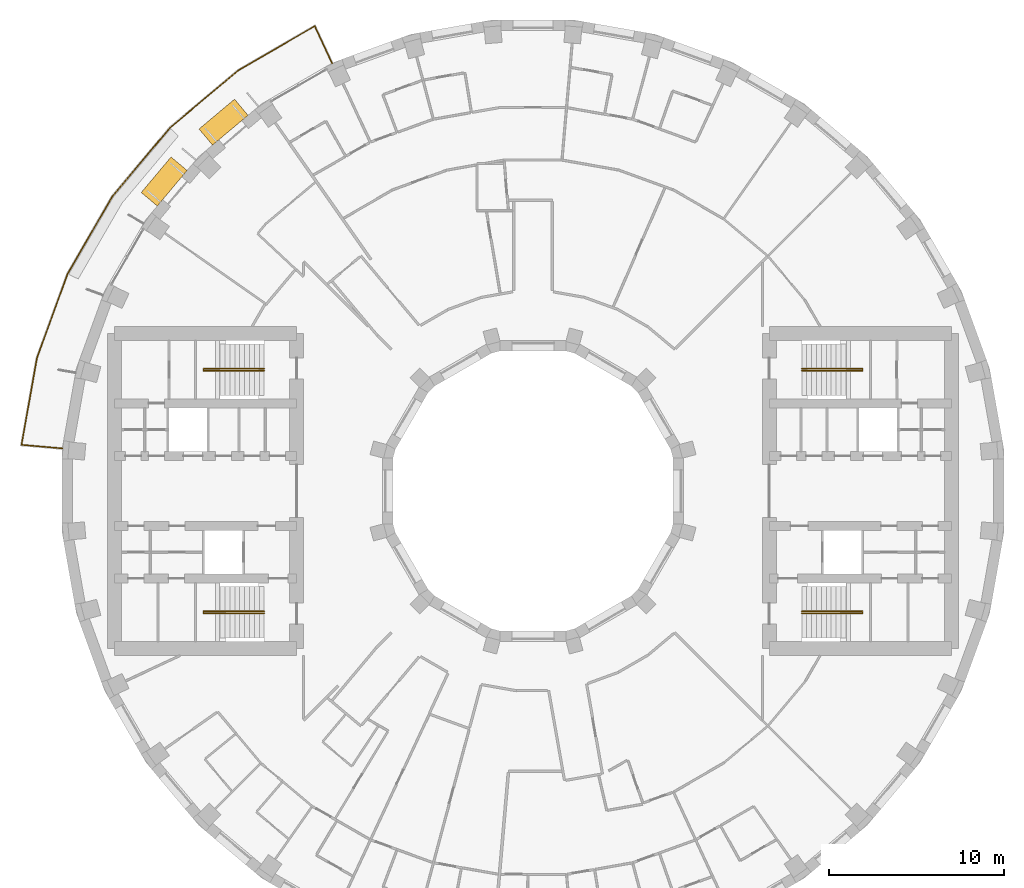
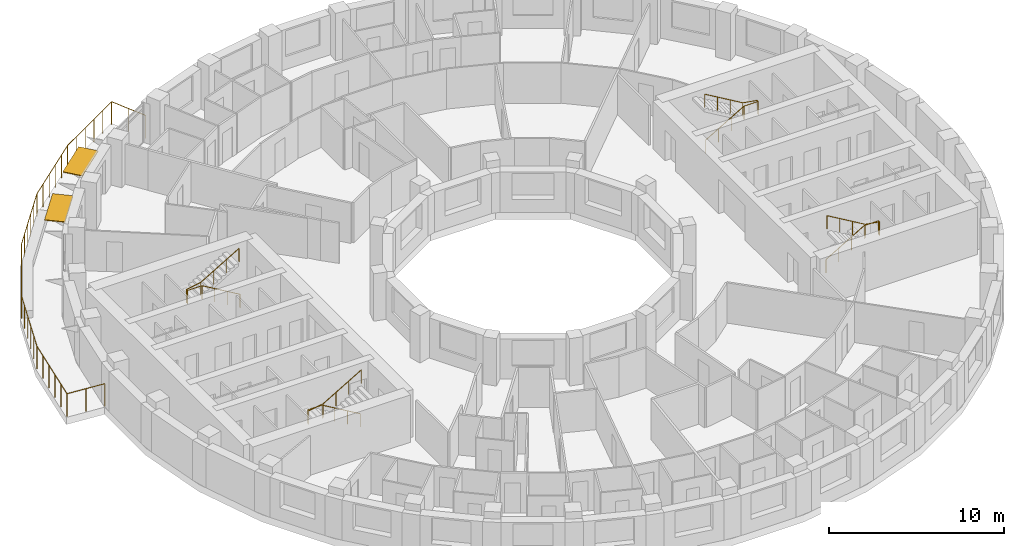
# One storey, part 14 of 14: 5 railings, 2 shading devices.
"""IFC4 building model written with IfcOpenShell, lengths in metres."""

from ifc_helpers import new_model, si_unit, direction, frame, origin, origin_2d, place, context, subcontext, project, spatial, rectangle, circle, extrude, material, layer, layer_set, type_object, element, save


model = new_model("IFC4")

# Units and contexts
model_context = context("Model", 3, precision=1e-05, world=origin(), true_north=direction((0.0, 1.0)))
body_context = subcontext(model_context, "Body", "Model", "MODEL_VIEW")
ifc_project = project(units=[si_unit("LENGTHUNIT", "METRE"), si_unit("AREAUNIT", "SQUARE_METRE"), si_unit("VOLUMEUNIT", "CUBIC_METRE"), si_unit("PLANEANGLEUNIT", "RADIAN"), si_unit("MASSUNIT", "GRAM", prefix="KILO")], contexts=[model_context])

# Site, building, storey
site_placement = place(None, origin())
site = spatial("IfcSite", under=ifc_project, at=site_placement, CompositionType="ELEMENT")
building_placement = place(site_placement, origin())
building = spatial("IfcBuilding", under=site, at=building_placement, Name="Saqina Gate Tower", CompositionType="ELEMENT")
storey_placement = place(building_placement, frame((0.0, 0.0, 101.800048828125)))
storey = spatial("IfcBuildingStorey", under=building, at=storey_placement, Name="L28", CompositionType="ELEMENT", Elevation=101.800048828125)

# Shading devices
ifc_material_1 = material(Name="Aluminium and fabric awning", Category="aluminium")
ifc_layer = layer(ifc_material_1, 0.050048828125)
ifc_layer_set = layer_set([ifc_layer], Name="AW-TERRACE")
shading_device_type = type_object("IfcShadingDeviceType", Name="AW-TERRACE", PredefinedType="AWNING", material=ifc_layer_set)
for number, where, z_axis, x_axis, name in (
    (1, (-17.6748046875, 21.064208984375, 2.52490234375), (0.0, 0.0, 1.0), (-0.766044443119, -0.642787609687, 0.0), "Terrace awning L28 facet 13"),
    (2, (-21.064208984375, 17.6748046875, 2.52490234375), (0.0, 0.0, 1.0), (-0.642787609687, -0.766044443119, 0.0), "Terrace awning L28 facet 14"),
):
    element("IfcShadingDevice", number, at=place(storey_placement, frame(where, z_axis=z_axis, x_axis=x_axis)), inside=storey, type_object=shading_device_type, Name=name, PredefinedType="AWNING", context=body_context, shape_type="SweptSolid", body=[
        extrude(rectangle(XDim=2.647705078125, YDim=1.199951171875, at=origin_2d()), origin(), (0.0, 0.0, 1.0), 0.050048828125),
    ])

# Railings
ifc_material_2 = material(Name="Stainless steel", Category="steel")
railing_type_1 = type_object("IfcRailingType", Name="RL-TERRACE", PredefinedType="GUARDRAIL", material=ifc_material_2)
railing_1_placement = place(storey_placement, frame((-11.457763671875, 24.382080078125, 0.0)))
element("IfcRailing", 3, at=railing_1_placement, inside=storey, type_object=railing_type_1, Name="Terrace guard L28", PredefinedType="GUARDRAIL", context=body_context, shape_type="SweptSolid", body=[
    extrude(circle(Radius=0.02392578125, at=origin_2d()), frame((0.0, 0.0, 1.576171875), z_axis=(-0.422600102855, 0.906316254443, 0.0), x_axis=(-0.906316254443, -0.422600102855, 0.0)), (0.0, 0.0, 1.0), 2.388916015625),
    extrude(circle(Radius=0.02392578125, at=origin_2d()), frame((-1.009521484375, 2.1650390625, 1.576171875), z_axis=(-0.86534767014, -0.501172036115, 0.0), x_axis=(0.501172036115, -0.86534767014, 0.0)), (0.0, 0.0, 1.0), 5.03271484375),
    extrude(circle(Radius=0.02392578125, at=origin_2d()), frame((-5.364501953125, -0.357177734375, 1.576171875), z_axis=(-0.766020862158, -0.642815711334, 0.0), x_axis=(0.642815711334, -0.766020862158, 0.0)), (0.0, 0.0, 1.0), 5.112548828125),
    extrude(circle(Radius=0.02392578125, at=origin_2d()), frame((-9.28076171875, -3.6435546875, 1.576171875), z_axis=(-0.642815711334, -0.766020862158, 0.0), x_axis=(0.766020862158, -0.642815711334, 0.0)), (0.0, 0.0, 1.0), 5.112548828125),
    extrude(circle(Radius=0.02392578125, at=origin_2d()), frame((-12.567138671875, -7.559814453125, 1.576171875), z_axis=(-0.500011827544, -0.866018575041, 0.0), x_axis=(0.866018575041, -0.500011827544, 0.0)), (0.0, 0.0, 1.0), 5.1123046875),
    extrude(circle(Radius=0.02392578125, at=origin_2d()), frame((-15.123291015625, -11.987060546875, 1.576171875), z_axis=(-0.342011445423, -0.939695786518, 0.0), x_axis=(0.939695786518, -0.342011445423, 0.0)), (0.0, 0.0, 1.0), 5.112548828125),
    extrude(circle(Radius=0.02392578125, at=origin_2d()), frame((-16.871826171875, -16.791259765625, 1.576171875), z_axis=(-0.174986307817, -0.984570866965, 0.0), x_axis=(0.984570866965, -0.174986307817, 0.0)), (0.0, 0.0, 1.0), 5.032470703125),
    extrude(circle(Radius=0.02392578125, at=origin_2d()), frame((-17.75244140625, -21.74609375, 1.576171875), z_axis=(0.996192497087, -0.087180896688, 0.0), x_axis=(0.087180896688, 0.996192497087, 0.0)), (0.0, 0.0, 1.0), 2.388671875),
    extrude(circle(Radius=0.02099609375, at=origin_2d()), origin(), (0.0, 0.0, 1.0), 1.552001953125),
    extrude(circle(Radius=0.02099609375, at=origin_2d()), frame((-0.5048828125, 1.08251953125, 0.0)), (0.0, 0.0, 1.0), 1.552001953125),
    extrude(circle(Radius=0.02099609375, at=origin_2d()), frame((-1.009521484375, 2.1650390625, 0.0)), (0.0, 0.0, 1.0), 1.552001953125),
    extrude(circle(Radius=0.02099609375, at=origin_2d()), frame((-1.880615234375, 1.66064453125, 0.0)), (0.0, 0.0, 1.0), 1.552001953125),
    extrude(circle(Radius=0.02099609375, at=origin_2d()), frame((-2.75146484375, 1.15625, 0.0)), (0.0, 0.0, 1.0), 1.552001953125),
    extrude(circle(Radius=0.02099609375, at=origin_2d()), frame((-3.62255859375, 0.651611328125, 0.0)), (0.0, 0.0, 1.0), 1.552001953125),
    extrude(circle(Radius=0.02099609375, at=origin_2d()), frame((-4.493408203125, 0.147216796875, 0.0)), (0.0, 0.0, 1.0), 1.552001953125),
    extrude(circle(Radius=0.02099609375, at=origin_2d()), frame((-5.364501953125, -0.357177734375, 0.0)), (0.0, 0.0, 1.0), 1.552001953125),
    extrude(circle(Radius=0.02099609375, at=origin_2d()), frame((-6.147705078125, -1.014404296875, 0.0)), (0.0, 0.0, 1.0), 1.552001953125),
    extrude(circle(Radius=0.02099609375, at=origin_2d()), frame((-6.930908203125, -1.671630859375, 0.0)), (0.0, 0.0, 1.0), 1.552001953125),
    extrude(circle(Radius=0.02099609375, at=origin_2d()), frame((-7.71435546875, -2.3291015625, 0.0)), (0.0, 0.0, 1.0), 1.552001953125),
    extrude(circle(Radius=0.02099609375, at=origin_2d()), frame((-8.49755859375, -2.986328125, 0.0)), (0.0, 0.0, 1.0), 1.552001953125),
    extrude(circle(Radius=0.02099609375, at=origin_2d()), frame((-9.28076171875, -3.6435546875, 0.0)), (0.0, 0.0, 1.0), 1.552001953125),
    extrude(circle(Radius=0.02099609375, at=origin_2d()), frame((-9.93798828125, -4.4267578125, 0.0)), (0.0, 0.0, 1.0), 1.552001953125),
    extrude(circle(Radius=0.02099609375, at=origin_2d()), frame((-10.59521484375, -5.2099609375, 0.0)), (0.0, 0.0, 1.0), 1.552001953125),
    extrude(circle(Radius=0.02099609375, at=origin_2d()), frame((-11.252685546875, -5.993408203125, 0.0)), (0.0, 0.0, 1.0), 1.552001953125),
    extrude(circle(Radius=0.02099609375, at=origin_2d()), frame((-11.909912109375, -6.776611328125, 0.0)), (0.0, 0.0, 1.0), 1.552001953125),
    extrude(circle(Radius=0.02099609375, at=origin_2d()), frame((-12.567138671875, -7.559814453125, 0.0)), (0.0, 0.0, 1.0), 1.552001953125),
    extrude(circle(Radius=0.02099609375, at=origin_2d()), frame((-13.078369140625, -8.4453125, 0.0)), (0.0, 0.0, 1.0), 1.552001953125),
    extrude(circle(Radius=0.02099609375, at=origin_2d()), frame((-13.589599609375, -9.330810546875, 0.0)), (0.0, 0.0, 1.0), 1.552001953125),
    extrude(circle(Radius=0.02099609375, at=origin_2d()), frame((-14.100830078125, -10.216064453125, 0.0)), (0.0, 0.0, 1.0), 1.552001953125),
    extrude(circle(Radius=0.02099609375, at=origin_2d()), frame((-14.612060546875, -11.1015625, 0.0)), (0.0, 0.0, 1.0), 1.552001953125),
    extrude(circle(Radius=0.02099609375, at=origin_2d()), frame((-15.123291015625, -11.987060546875, 0.0)), (0.0, 0.0, 1.0), 1.552001953125),
    extrude(circle(Radius=0.02099609375, at=origin_2d()), frame((-15.472900390625, -12.947998046875, 0.0)), (0.0, 0.0, 1.0), 1.552001953125),
    extrude(circle(Radius=0.02099609375, at=origin_2d()), frame((-15.82275390625, -13.90869140625, 0.0)), (0.0, 0.0, 1.0), 1.552001953125),
    extrude(circle(Radius=0.02099609375, at=origin_2d()), frame((-16.17236328125, -14.86962890625, 0.0)), (0.0, 0.0, 1.0), 1.552001953125),
    extrude(circle(Radius=0.02099609375, at=origin_2d()), frame((-16.522216796875, -15.830322265625, 0.0)), (0.0, 0.0, 1.0), 1.552001953125),
    extrude(circle(Radius=0.02099609375, at=origin_2d()), frame((-16.871826171875, -16.791259765625, 0.0)), (0.0, 0.0, 1.0), 1.552001953125),
    extrude(circle(Radius=0.02099609375, at=origin_2d()), frame((-17.0478515625, -17.7822265625, 0.0)), (0.0, 0.0, 1.0), 1.552001953125),
    extrude(circle(Radius=0.02099609375, at=origin_2d()), frame((-17.22412109375, -18.773193359375, 0.0)), (0.0, 0.0, 1.0), 1.552001953125),
    extrude(circle(Radius=0.02099609375, at=origin_2d()), frame((-17.400146484375, -19.76416015625, 0.0)), (0.0, 0.0, 1.0), 1.552001953125),
    extrude(circle(Radius=0.02099609375, at=origin_2d()), frame((-17.576416015625, -20.755126953125, 0.0)), (0.0, 0.0, 1.0), 1.552001953125),
    extrude(circle(Radius=0.02099609375, at=origin_2d()), frame((-17.75244140625, -21.74609375, 0.0)), (0.0, 0.0, 1.0), 1.552001953125),
    extrude(circle(Radius=0.02099609375, at=origin_2d()), frame((-16.5625, -21.85009765625, 0.0)), (0.0, 0.0, 1.0), 1.552001953125),
    extrude(circle(Radius=0.02099609375, at=origin_2d()), frame((-15.372802734375, -21.954345703125, 0.0)), (0.0, 0.0, 1.0), 1.552001953125),
])
ifc_material_3 = material(Name="Stainless steel", Category="steel")
railing_type_2 = type_object("IfcRailingType", Name="STAIR HANDRAIL", PredefinedType="HANDRAIL", material=ifc_material_3)
railing_2_placement = place(storey_placement, frame((15.35009765625, 6.86669921875, 0.1650390625)))
element("IfcRailing", 4, at=railing_2_placement, inside=storey, type_object=railing_type_2, Name="EXIT STAIR 1 HANDRAIL", PredefinedType="HANDRAIL", context=body_context, shape_type="SweptSolid", body=[
    extrude(circle(Radius=0.02392578125, at=origin_2d()), frame((0.0, 0.0, 0.92578125), z_axis=(0.861560626758, 0.0, 0.507654692109), x_axis=(0.0, 1.0, 0.0)), (0.0, 0.0, 1.0), 2.925048828125),
    extrude(circle(Radius=0.02392578125, at=origin_2d()), frame((2.52001953125, 0.0, 2.41064453125), z_axis=(1.0, 0.0, 0.0), x_axis=(0.0, 1.0, 0.0)), (0.0, 0.0, 1.0), 0.949951171875),
    extrude(circle(Radius=0.02392578125, at=origin_2d()), frame((3.469970703125, 0.0, 2.41064453125), z_axis=(0.0, 1.0, 0.0), x_axis=(-1.0, 0.0, 0.0)), (0.0, 0.0, 1.0), 0.11669921875),
    extrude(circle(Radius=0.02392578125, at=origin_2d()), frame((3.469970703125, 0.11669921875, 2.41064453125), z_axis=(-0.985241474778, 0.0, 0.171170197109), x_axis=(0.0, -1.0, 0.0)), (0.0, 0.0, 1.0), 0.964111328125),
    extrude(circle(Radius=0.02392578125, at=origin_2d()), frame((2.52001953125, 0.11669921875, 2.57568359375), z_axis=(-0.86152411907, 0.0, 0.507716645641), x_axis=(0.0, -1.0, 0.0)), (0.0, 0.0, 1.0), 2.925048828125),
    extrude(circle(Radius=0.02099609375, at=origin_2d()), origin(), (0.0, 0.0, 1.0), 0.90185546875),
    extrude(circle(Radius=0.02099609375, at=origin_2d()), frame((0.840087890625, 0.0, 0.494873046875)), (0.0, 0.0, 1.0), 0.90185546875),
    extrude(circle(Radius=0.02099609375, at=origin_2d()), frame((1.679931640625, 0.0, 0.989990234375)), (0.0, 0.0, 1.0), 0.90185546875),
    extrude(circle(Radius=0.02099609375, at=origin_2d()), frame((2.52001953125, 0.0, 1.48486328125)), (0.0, 0.0, 1.0), 0.90185546875),
    extrude(circle(Radius=0.02099609375, at=origin_2d()), frame((3.469970703125, 0.0, 1.48486328125)), (0.0, 0.0, 1.0), 0.90185546875),
    extrude(circle(Radius=0.02099609375, at=origin_2d()), frame((3.469970703125, 0.11669921875, 1.48486328125)), (0.0, 0.0, 1.0), 0.90185546875),
    extrude(circle(Radius=0.02099609375, at=origin_2d()), frame((2.52001953125, 0.11669921875, 1.64990234375)), (0.0, 0.0, 1.0), 0.90185546875),
    extrude(circle(Radius=0.02099609375, at=origin_2d()), frame((1.679931640625, 0.11669921875, 2.14501953125)), (0.0, 0.0, 1.0), 0.90185546875),
    extrude(circle(Radius=0.02099609375, at=origin_2d()), frame((0.840087890625, 0.11669921875, 2.639892578125)), (0.0, 0.0, 1.0), 0.90185546875),
    extrude(circle(Radius=0.02099609375, at=origin_2d()), frame((0.0, 0.11669921875, 3.135009765625)), (0.0, 0.0, 1.0), 0.90185546875),
])
railing_3_placement = place(storey_placement, frame((15.35009765625, -6.86669921875, 0.1650390625)))
element("IfcRailing", 5, at=railing_3_placement, inside=storey, type_object=railing_type_2, Name="EXIT STAIR 2 HANDRAIL", PredefinedType="HANDRAIL", context=body_context, shape_type="SweptSolid", body=[
    extrude(circle(Radius=0.02392578125, at=origin_2d()), frame((0.0, 0.0, 0.92578125), z_axis=(0.861560626758, 0.0, 0.507654692109), x_axis=(0.0, 1.0, 0.0)), (0.0, 0.0, 1.0), 2.925048828125),
    extrude(circle(Radius=0.02392578125, at=origin_2d()), frame((2.52001953125, 0.0, 2.41064453125), z_axis=(1.0, 0.0, 0.0), x_axis=(0.0, 1.0, 0.0)), (0.0, 0.0, 1.0), 0.949951171875),
    extrude(circle(Radius=0.02392578125, at=origin_2d()), frame((3.469970703125, 0.0, 2.41064453125), z_axis=(0.0, -1.0, 0.0), x_axis=(1.0, 0.0, 0.0)), (0.0, 0.0, 1.0), 0.11669921875),
    extrude(circle(Radius=0.02392578125, at=origin_2d()), frame((3.469970703125, -0.11669921875, 2.41064453125), z_axis=(-0.985241474778, 0.0, 0.171170197109), x_axis=(0.0, -1.0, 0.0)), (0.0, 0.0, 1.0), 0.964111328125),
    extrude(circle(Radius=0.02392578125, at=origin_2d()), frame((2.52001953125, -0.11669921875, 2.57568359375), z_axis=(-0.86152411907, 0.0, 0.507716645641), x_axis=(0.0, -1.0, 0.0)), (0.0, 0.0, 1.0), 2.925048828125),
    extrude(circle(Radius=0.02099609375, at=origin_2d()), origin(), (0.0, 0.0, 1.0), 0.90185546875),
    extrude(circle(Radius=0.02099609375, at=origin_2d()), frame((0.840087890625, 0.0, 0.494873046875)), (0.0, 0.0, 1.0), 0.90185546875),
    extrude(circle(Radius=0.02099609375, at=origin_2d()), frame((1.679931640625, 0.0, 0.989990234375)), (0.0, 0.0, 1.0), 0.90185546875),
    extrude(circle(Radius=0.02099609375, at=origin_2d()), frame((2.52001953125, 0.0, 1.48486328125)), (0.0, 0.0, 1.0), 0.90185546875),
    extrude(circle(Radius=0.02099609375, at=origin_2d()), frame((3.469970703125, 0.0, 1.48486328125)), (0.0, 0.0, 1.0), 0.90185546875),
    extrude(circle(Radius=0.02099609375, at=origin_2d()), frame((3.469970703125, -0.11669921875, 1.48486328125)), (0.0, 0.0, 1.0), 0.90185546875),
    extrude(circle(Radius=0.02099609375, at=origin_2d()), frame((2.52001953125, -0.11669921875, 1.64990234375)), (0.0, 0.0, 1.0), 0.90185546875),
    extrude(circle(Radius=0.02099609375, at=origin_2d()), frame((1.679931640625, -0.11669921875, 2.14501953125)), (0.0, 0.0, 1.0), 0.90185546875),
    extrude(circle(Radius=0.02099609375, at=origin_2d()), frame((0.840087890625, -0.11669921875, 2.639892578125)), (0.0, 0.0, 1.0), 0.90185546875),
    extrude(circle(Radius=0.02099609375, at=origin_2d()), frame((0.0, -0.11669921875, 3.135009765625)), (0.0, 0.0, 1.0), 0.90185546875),
])
railing_4_placement = place(storey_placement, frame((-15.35009765625, 6.86669921875, 0.1650390625)))
element("IfcRailing", 6, at=railing_4_placement, inside=storey, type_object=railing_type_2, Name="EXIT STAIR 3 HANDRAIL", PredefinedType="HANDRAIL", context=body_context, shape_type="SweptSolid", body=[
    extrude(circle(Radius=0.02392578125, at=origin_2d()), frame((0.0, 0.0, 0.92578125), z_axis=(-0.861560626758, 0.0, 0.507654692109), x_axis=(0.0, -1.0, 0.0)), (0.0, 0.0, 1.0), 2.925048828125),
    extrude(circle(Radius=0.02392578125, at=origin_2d()), frame((-2.52001953125, 0.0, 2.41064453125), z_axis=(-1.0, 0.0, 0.0), x_axis=(0.0, -1.0, 0.0)), (0.0, 0.0, 1.0), 0.949951171875),
    extrude(circle(Radius=0.02392578125, at=origin_2d()), frame((-3.469970703125, 0.0, 2.41064453125), z_axis=(0.0, 1.0, 0.0), x_axis=(-1.0, 0.0, 0.0)), (0.0, 0.0, 1.0), 0.11669921875),
    extrude(circle(Radius=0.02392578125, at=origin_2d()), frame((-3.469970703125, 0.11669921875, 2.41064453125), z_axis=(0.985241474778, 0.0, 0.171170197109), x_axis=(0.0, 1.0, 0.0)), (0.0, 0.0, 1.0), 0.964111328125),
    extrude(circle(Radius=0.02392578125, at=origin_2d()), frame((-2.52001953125, 0.11669921875, 2.57568359375), z_axis=(0.86152411907, 0.0, 0.507716645641), x_axis=(0.0, 1.0, 0.0)), (0.0, 0.0, 1.0), 2.925048828125),
    extrude(circle(Radius=0.02099609375, at=origin_2d()), origin(), (0.0, 0.0, 1.0), 0.90185546875),
    extrude(circle(Radius=0.02099609375, at=origin_2d()), frame((-0.840087890625, 0.0, 0.494873046875)), (0.0, 0.0, 1.0), 0.90185546875),
    extrude(circle(Radius=0.02099609375, at=origin_2d()), frame((-1.679931640625, 0.0, 0.989990234375)), (0.0, 0.0, 1.0), 0.90185546875),
    extrude(circle(Radius=0.02099609375, at=origin_2d()), frame((-2.52001953125, 0.0, 1.48486328125)), (0.0, 0.0, 1.0), 0.90185546875),
    extrude(circle(Radius=0.02099609375, at=origin_2d()), frame((-3.469970703125, 0.0, 1.48486328125)), (0.0, 0.0, 1.0), 0.90185546875),
    extrude(circle(Radius=0.02099609375, at=origin_2d()), frame((-3.469970703125, 0.11669921875, 1.48486328125)), (0.0, 0.0, 1.0), 0.90185546875),
    extrude(circle(Radius=0.02099609375, at=origin_2d()), frame((-2.52001953125, 0.11669921875, 1.64990234375)), (0.0, 0.0, 1.0), 0.90185546875),
    extrude(circle(Radius=0.02099609375, at=origin_2d()), frame((-1.679931640625, 0.11669921875, 2.14501953125)), (0.0, 0.0, 1.0), 0.90185546875),
    extrude(circle(Radius=0.02099609375, at=origin_2d()), frame((-0.840087890625, 0.11669921875, 2.639892578125)), (0.0, 0.0, 1.0), 0.90185546875),
    extrude(circle(Radius=0.02099609375, at=origin_2d()), frame((0.0, 0.11669921875, 3.135009765625)), (0.0, 0.0, 1.0), 0.90185546875),
])
railing_5_placement = place(storey_placement, frame((-15.35009765625, -6.86669921875, 0.1650390625)))
element("IfcRailing", 7, at=railing_5_placement, inside=storey, type_object=railing_type_2, Name="EXIT STAIR 4 HANDRAIL", PredefinedType="HANDRAIL", context=body_context, shape_type="SweptSolid", body=[
    extrude(circle(Radius=0.02392578125, at=origin_2d()), frame((0.0, 0.0, 0.92578125), z_axis=(-0.861560626758, 0.0, 0.507654692109), x_axis=(0.0, -1.0, 0.0)), (0.0, 0.0, 1.0), 2.925048828125),
    extrude(circle(Radius=0.02392578125, at=origin_2d()), frame((-2.52001953125, 0.0, 2.41064453125), z_axis=(-1.0, 0.0, 0.0), x_axis=(0.0, -1.0, 0.0)), (0.0, 0.0, 1.0), 0.949951171875),
    extrude(circle(Radius=0.02392578125, at=origin_2d()), frame((-3.469970703125, 0.0, 2.41064453125), z_axis=(0.0, -1.0, 0.0), x_axis=(1.0, 0.0, 0.0)), (0.0, 0.0, 1.0), 0.11669921875),
    extrude(circle(Radius=0.02392578125, at=origin_2d()), frame((-3.469970703125, -0.11669921875, 2.41064453125), z_axis=(0.985241474778, 0.0, 0.171170197109), x_axis=(0.0, 1.0, 0.0)), (0.0, 0.0, 1.0), 0.964111328125),
    extrude(circle(Radius=0.02392578125, at=origin_2d()), frame((-2.52001953125, -0.11669921875, 2.57568359375), z_axis=(0.86152411907, 0.0, 0.507716645641), x_axis=(0.0, 1.0, 0.0)), (0.0, 0.0, 1.0), 2.925048828125),
    extrude(circle(Radius=0.02099609375, at=origin_2d()), origin(), (0.0, 0.0, 1.0), 0.90185546875),
    extrude(circle(Radius=0.02099609375, at=origin_2d()), frame((-0.840087890625, 0.0, 0.494873046875)), (0.0, 0.0, 1.0), 0.90185546875),
    extrude(circle(Radius=0.02099609375, at=origin_2d()), frame((-1.679931640625, 0.0, 0.989990234375)), (0.0, 0.0, 1.0), 0.90185546875),
    extrude(circle(Radius=0.02099609375, at=origin_2d()), frame((-2.52001953125, 0.0, 1.48486328125)), (0.0, 0.0, 1.0), 0.90185546875),
    extrude(circle(Radius=0.02099609375, at=origin_2d()), frame((-3.469970703125, 0.0, 1.48486328125)), (0.0, 0.0, 1.0), 0.90185546875),
    extrude(circle(Radius=0.02099609375, at=origin_2d()), frame((-3.469970703125, -0.11669921875, 1.48486328125)), (0.0, 0.0, 1.0), 0.90185546875),
    extrude(circle(Radius=0.02099609375, at=origin_2d()), frame((-2.52001953125, -0.11669921875, 1.64990234375)), (0.0, 0.0, 1.0), 0.90185546875),
    extrude(circle(Radius=0.02099609375, at=origin_2d()), frame((-1.679931640625, -0.11669921875, 2.14501953125)), (0.0, 0.0, 1.0), 0.90185546875),
    extrude(circle(Radius=0.02099609375, at=origin_2d()), frame((-0.840087890625, -0.11669921875, 2.639892578125)), (0.0, 0.0, 1.0), 0.90185546875),
    extrude(circle(Radius=0.02099609375, at=origin_2d()), frame((0.0, -0.11669921875, 3.135009765625)), (0.0, 0.0, 1.0), 0.90185546875),
])

save(model, "model.ifc")
